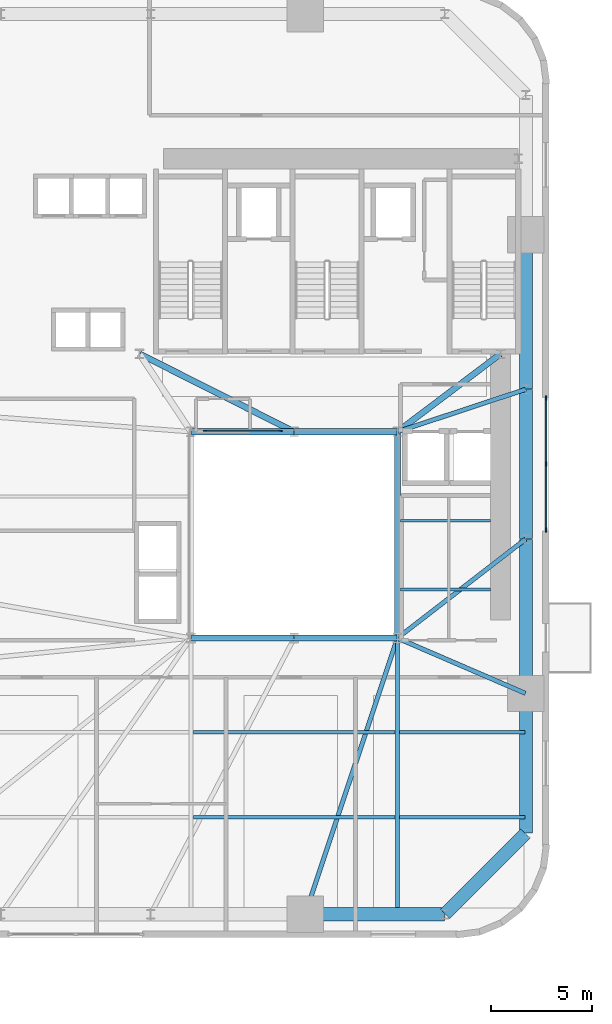
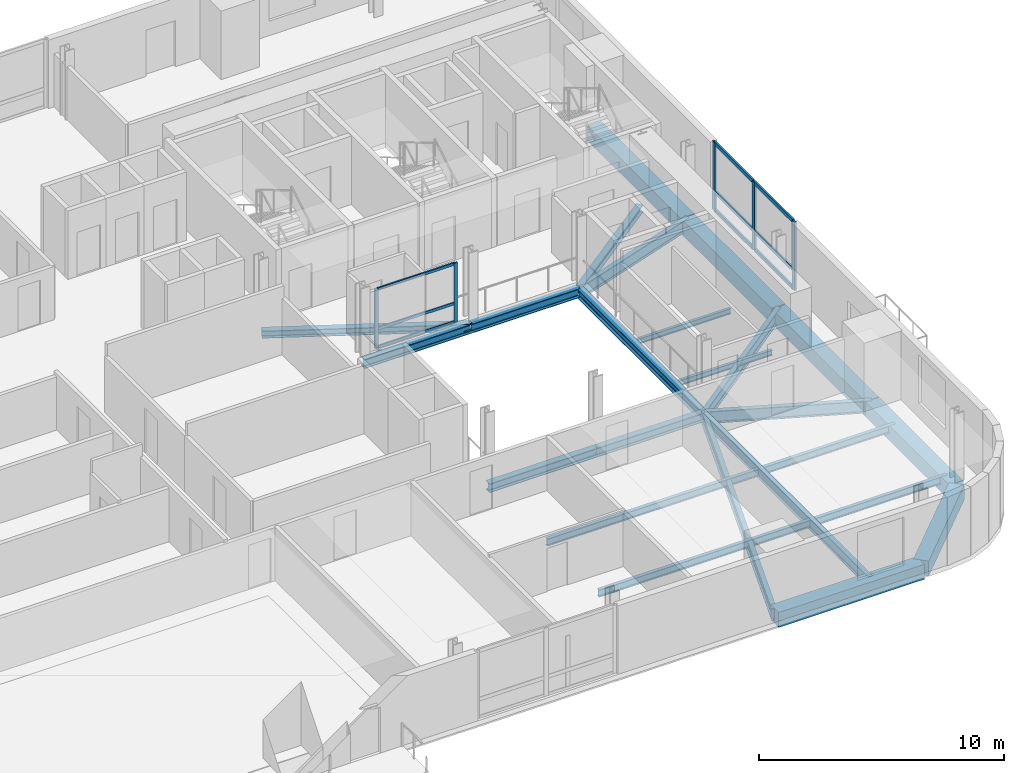
# One storey, part 3 of 13: 24 beams, 14 members, 2 elements without a shape of their own.
"""IFC4 building model written with IfcOpenShell, lengths in metres."""

from ifc_helpers import new_model, si_unit, direction, frame, origin, origin_2d, place, context, subcontext, project, spatial, rectangle, i_section, extrude, source, transform, mapped, material, material_profile, profile_set, type_object, element, aggregate, save


model = new_model("IFC4")

# Units and contexts
model_context = context("Model", 3, precision=1e-05, world=origin(), true_north=direction((0.0, 1.0)))
body_context = subcontext(model_context, "Body", "Model", "MODEL_VIEW")
ifc_project = project(units=[si_unit("LENGTHUNIT", "METRE"), si_unit("AREAUNIT", "SQUARE_METRE"), si_unit("VOLUMEUNIT", "CUBIC_METRE"), si_unit("PLANEANGLEUNIT", "RADIAN"), si_unit("MASSUNIT", "GRAM", prefix="KILO")], contexts=[model_context])

# Site, building, storey
site_placement = place(None, origin())
site = spatial("IfcSite", under=ifc_project, at=site_placement, CompositionType="ELEMENT")
building_placement = place(site_placement, origin())
building = spatial("IfcBuilding", under=site, at=building_placement, Name="Vardaveli Station Tower", CompositionType="ELEMENT")
storey_placement = place(building_placement, frame((0.0, 0.0, 31.25)))
storey = spatial("IfcBuildingStorey", under=building, at=storey_placement, Name="L07", CompositionType="ELEMENT", Elevation=31.25)

# Beams
ifc_material_1 = material(Name="Structural steel S355J2", Category="steel")
ifc_material_profile_1 = material_profile(ifc_material_1, i_section(OverallWidth=0.300048828125, OverallDepth=0.449951171875, WebThickness=0.013916015625, FlangeThickness=0.02587890625, FilletRadius=0.027099609375, at=origin_2d()), Name="HEB 450")
ifc_profile_set_1 = profile_set([ifc_material_profile_1], Name="Structural steel S355J2")
beam_type_1 = type_object("IfcBeamType", Name="BM-HEB450", PredefinedType="BEAM", material=ifc_profile_set_1)
shared_shape_1 = source(origin(), body_context, "Body", "SweptSolid", [
    extrude(i_section(OverallWidth=0.300048828125, OverallDepth=0.449951171875, WebThickness=0.013916015625, FlangeThickness=0.02587890625, FilletRadius=0.027099609375, at=origin_2d()), origin(), (0.0, 0.0, 1.0), 5.06005859375),
])
for number, where, z_axis, x_axis, name in (
    (1, (31.219970703125, 16.60009765625, -0.465087890625), (1.0, 0.0, 0.0), (0.0, 1.0, 0.0), "ABM-L07-01"),
    (2, (36.280029296875, 26.800048828125, -0.465087890625), (-1.0, 0.0, 0.0), (0.0, -1.0, 0.0), "ABM-L07-05"),
):
    element("IfcBeam", number, at=place(storey_placement, frame(where, z_axis=z_axis, x_axis=x_axis)), inside=storey, type_object=beam_type_1, Name=name, PredefinedType="BEAM", context=body_context, shape_type="MappedRepresentation", body=[
        mapped(shared_shape_1, transform((0.0, 0.0, 0.0), scale=1.0)),
    ])
shared_shape_2 = source(origin(), body_context, "Body", "SweptSolid", [
    extrude(i_section(OverallWidth=0.300048828125, OverallDepth=0.449951171875, WebThickness=0.013916015625, FlangeThickness=0.02587890625, FilletRadius=0.027099609375, at=origin_2d()), origin(), (0.0, 0.0, 1.0), 5.059814453125),
])
for number, where, z_axis, x_axis, name in (
    (3, (36.320068359375, 16.60009765625, -0.465087890625), (1.0, 0.0, 0.0), (0.0, 1.0, 0.0), "ABM-L07-02"),
    (4, (41.3798828125, 26.800048828125, -0.465087890625), (-1.0, 0.0, 0.0), (0.0, -1.0, 0.0), "ABM-L07-04"),
):
    element("IfcBeam", number, at=place(storey_placement, frame(where, z_axis=z_axis, x_axis=x_axis)), inside=storey, type_object=beam_type_1, Name=name, PredefinedType="BEAM", context=body_context, shape_type="MappedRepresentation", body=[
        mapped(shared_shape_2, transform((0.0, 0.0, 0.0), scale=1.0)),
    ])
shared_shape_3 = source(origin(), body_context, "Body", "SweptSolid", [
    extrude(i_section(OverallWidth=0.300048828125, OverallDepth=0.449951171875, WebThickness=0.013916015625, FlangeThickness=0.02587890625, FilletRadius=0.027099609375, at=origin_2d()), origin(), (0.0, 0.0, 1.0), 10.159912109375),
])
beam_1_placement = place(storey_placement, frame((41.39990234375, 16.6201171875, -0.465087890625), z_axis=(0.0, 1.0, 0.0), x_axis=(-1.0, 0.0, 0.0)))
element("IfcBeam", 5, at=beam_1_placement, inside=storey, type_object=beam_type_1, Name="ABM-L07-03", PredefinedType="BEAM", context=body_context, shape_type="MappedRepresentation", body=[
    mapped(shared_shape_3, transform((0.0, 0.0, 0.0), scale=1.0)),
])
ifc_material_profile_2 = material_profile(ifc_material_1, i_section(OverallWidth=0.300048828125, OverallDepth=0.360107421875, WebThickness=0.012451171875, FlangeThickness=0.0224609375, FilletRadius=0.027099609375, at=origin_2d()), Name="HEB 360")
ifc_profile_set_2 = profile_set([ifc_material_profile_2], Name="Structural steel S355J2")
beam_type_2 = type_object("IfcBeamType", Name="BM-HEB360", PredefinedType="BEAM", material=ifc_profile_set_2)
shared_shape_4 = source(origin(), body_context, "Body", "SweptSolid", [
    extrude(i_section(OverallWidth=0.300048828125, OverallDepth=0.360107421875, WebThickness=0.012451171875, FlangeThickness=0.0224609375, FilletRadius=0.027099609375, at=origin_2d()), origin(), (0.0, 0.0, 1.0), 6.35009765625),
])
beam_2_placement = place(storey_placement, frame((41.416015625, 26.81201171875, -0.419921875), z_axis=(0.798118337722, 0.602500721154, 0.0), x_axis=(-0.602500721154, 0.798118337722, 0.0)))
element("IfcBeam", 6, at=beam_2_placement, inside=storey, type_object=beam_type_2, Name="CBM-L07-02", PredefinedType="BEAM", context=body_context, shape_type="MappedRepresentation", body=[
    mapped(shared_shape_4, transform((0.0, 0.0, 0.0), scale=1.0)),
])
shared_shape_5 = source(origin(), body_context, "Body", "SweptSolid", [
    extrude(i_section(OverallWidth=0.300048828125, OverallDepth=0.360107421875, WebThickness=0.012451171875, FlangeThickness=0.0224609375, FilletRadius=0.027099609375, at=origin_2d()), origin(), (0.0, 0.0, 1.0), 8.524169921875),
])
beam_3_placement = place(storey_placement, frame((28.66796875, 30.64111328125, -0.419921875), z_axis=(0.893255584708, -0.449549174605, 0.0), x_axis=(0.449549174605, 0.893255584708, 0.0)))
element("IfcBeam", 7, at=beam_3_placement, inside=storey, type_object=beam_type_2, Name="CBM-L07-03", PredefinedType="BEAM", context=body_context, shape_type="MappedRepresentation", body=[
    mapped(shared_shape_5, transform((0.0, 0.0, 0.0), scale=1.0)),
])
ifc_material_2 = material(Name="Precast concrete C45/55", Category="concrete")
ifc_material_profile_3 = material_profile(ifc_material_2, rectangle(XDim=0.64990234375, YDim=0.75, at=origin_2d()), Name="LPB 650x750")
ifc_profile_set_3 = profile_set([ifc_material_profile_3], Name="Precast concrete C45/55")
beam_type_3 = type_object("IfcBeamType", Name="BM-LPB-750", PredefinedType="BEAM", material=ifc_profile_set_3)
shared_shape_6 = source(origin(), body_context, "Body", "SweptSolid", [
    extrude(rectangle(XDim=0.64990234375, YDim=0.75, at=origin_2d()), origin(), (0.0, 0.0, 1.0), 7.60009765625),
])
for number, where, z_axis, x_axis, name in (
    (8, (47.75, 13.8798828125, -0.614990234375), (0.0, 1.0, 0.0), (-1.0, 0.0, 0.0), "RBM-L07-07"),
    (9, (47.75, 28.919921875, -0.614990234375), (0.0, 1.0, 0.0), (-1.0, 0.0, 0.0), "RBM-L07-09"),
):
    element("IfcBeam", number, at=place(storey_placement, frame(where, z_axis=z_axis, x_axis=x_axis)), inside=storey, type_object=beam_type_3, Name=name, PredefinedType="BEAM", context=body_context, shape_type="MappedRepresentation", body=[
        mapped(shared_shape_6, transform((0.0, 0.0, 0.0), scale=1.0)),
    ])
shared_shape_7 = source(origin(), body_context, "Body", "SweptSolid", [
    extrude(rectangle(XDim=0.64990234375, YDim=0.75, at=origin_2d()), origin(), (0.0, 0.0, 1.0), 7.35986328125),
])
beam_4_placement = place(storey_placement, frame((47.75, 21.52001953125, -0.614990234375), z_axis=(0.0, 1.0, 0.0), x_axis=(-1.0, 0.0, 0.0)))
element("IfcBeam", 10, at=beam_4_placement, inside=storey, type_object=beam_type_3, Name="RBM-L07-08", PredefinedType="BEAM", context=body_context, shape_type="MappedRepresentation", body=[
    mapped(shared_shape_7, transform((0.0, 0.0, 0.0), scale=1.0)),
])
shared_shape_8 = source(origin(), body_context, "Body", "SweptSolid", [
    extrude(rectangle(XDim=0.64990234375, YDim=0.75, at=origin_2d()), origin(), (0.0, 0.0, 1.0), 6.869873046875),
])
beam_5_placement = place(storey_placement, frame((36.860107421875, 2.949951171875, -0.614990234375), z_axis=(1.0, 0.0, 0.0), x_axis=(0.0, 1.0, 0.0)))
element("IfcBeam", 11, at=beam_5_placement, inside=storey, type_object=beam_type_3, Name="RBM-L07-04", PredefinedType="BEAM", context=body_context, shape_type="MappedRepresentation", body=[
    mapped(shared_shape_8, transform((0.0, 0.0, 0.0), scale=1.0)),
])
shared_shape_9 = source(origin(), body_context, "Body", "SweptSolid", [
    extrude(rectangle(XDim=0.64990234375, YDim=0.75, at=origin_2d()), origin(), (0.0, 0.0, 1.0), 5.61669921875),
])
beam_6_placement = place(storey_placement, frame((43.76416015625, 2.964111328125, -0.614990234375), z_axis=(0.707106781187, 0.707106781187, 0.0), x_axis=(-0.707106781187, 0.707106781187, 0.0)))
element("IfcBeam", 12, at=beam_6_placement, inside=storey, type_object=beam_type_3, Name="RBM-L07-05", PredefinedType="BEAM", context=body_context, shape_type="MappedRepresentation", body=[
    mapped(shared_shape_9, transform((0.0, 0.0, 0.0), scale=1.0)),
])
shared_shape_10 = source(origin(), body_context, "Body", "SweptSolid", [
    extrude(rectangle(XDim=0.64990234375, YDim=0.75, at=origin_2d()), origin(), (0.0, 0.0, 1.0), 6.8701171875),
])
beam_7_placement = place(storey_placement, frame((47.75, 6.969970703125, -0.614990234375), z_axis=(0.0, 1.0, 0.0), x_axis=(-1.0, 0.0, 0.0)))
element("IfcBeam", 13, at=beam_7_placement, inside=storey, type_object=beam_type_3, Name="RBM-L07-06", PredefinedType="BEAM", context=body_context, shape_type="MappedRepresentation", body=[
    mapped(shared_shape_10, transform((0.0, 0.0, 0.0), scale=1.0)),
])
ifc_material_profile_4 = material_profile(ifc_material_1, i_section(OverallWidth=0.219970703125, OverallDepth=0.60009765625, WebThickness=0.011962890625, FlangeThickness=0.01904296875, FilletRadius=0.02392578125, at=origin_2d()), Name="IPE 600")
ifc_profile_set_4 = profile_set([ifc_material_profile_4], Name="Structural steel S355J2")
beam_type_4 = type_object("IfcBeamType", Name="BM-IPE600", PredefinedType="BEAM", material=ifc_profile_set_4)
shared_shape_11 = source(origin(), body_context, "Body", "SweptSolid", [
    extrude(i_section(OverallWidth=0.219970703125, OverallDepth=0.60009765625, WebThickness=0.011962890625, FlangeThickness=0.01904296875, FilletRadius=0.02392578125, at=origin_2d()), origin(), (0.0, 0.0, 1.0), 14.3515625),
])
beam_8_placement = place(storey_placement, frame((36.846435546875, 2.968994140625, -0.5400390625), z_axis=(0.316840115921, 0.948478961782, 0.0), x_axis=(-0.948478961782, 0.316840115921, 0.0)))
element("IfcBeam", 14, at=beam_8_placement, inside=storey, type_object=beam_type_4, Name="GBM-L07-04", PredefinedType="BEAM", context=body_context, shape_type="MappedRepresentation", body=[
    mapped(shared_shape_11, transform((0.0, 0.0, 0.0), scale=1.0)),
])
shared_shape_12 = source(origin(), body_context, "Body", "SweptSolid", [
    extrude(i_section(OverallWidth=0.219970703125, OverallDepth=0.60009765625, WebThickness=0.011962890625, FlangeThickness=0.01904296875, FilletRadius=0.02392578125, at=origin_2d()), origin(), (0.0, 0.0, 1.0), 6.8759765625),
])
beam_9_placement = place(storey_placement, frame((47.731689453125, 13.867919921875, -0.5400390625), z_axis=(-0.918170694621, 0.396185026899, 0.0), x_axis=(-0.396185026899, -0.918170694621, 0.0)))
element("IfcBeam", 15, at=beam_9_placement, inside=storey, type_object=beam_type_4, Name="GBM-L07-05", PredefinedType="BEAM", context=body_context, shape_type="MappedRepresentation", body=[
    mapped(shared_shape_12, transform((0.0, 0.0, 0.0), scale=1.0)),
])
shared_shape_13 = source(origin(), body_context, "Body", "SweptSolid", [
    extrude(i_section(OverallWidth=0.219970703125, OverallDepth=0.60009765625, WebThickness=0.011962890625, FlangeThickness=0.01904296875, FilletRadius=0.02392578125, at=origin_2d()), origin(), (0.0, 0.0, 1.0), 7.980712890625),
])
beam_10_placement = place(storey_placement, frame((47.734130859375, 21.48779296875, -0.5400390625), z_axis=(-0.791701934907, -0.610907559509, 0.0), x_axis=(0.610907559509, -0.791701934907, 0.0)))
element("IfcBeam", 16, at=beam_10_placement, inside=storey, type_object=beam_type_4, Name="GBM-L07-06", PredefinedType="BEAM", context=body_context, shape_type="MappedRepresentation", body=[
    mapped(shared_shape_13, transform((0.0, 0.0, 0.0), scale=1.0)),
])
shared_shape_14 = source(origin(), body_context, "Body", "SweptSolid", [
    extrude(i_section(OverallWidth=0.219970703125, OverallDepth=0.60009765625, WebThickness=0.011962890625, FlangeThickness=0.01904296875, FilletRadius=0.02392578125, at=origin_2d()), origin(), (0.0, 0.0, 1.0), 6.648193359375),
])
beam_11_placement = place(storey_placement, frame((47.73095703125, 28.893798828125, -0.5400390625), z_axis=(-0.949429779906, -0.313979446824, 0.0), x_axis=(0.313979446824, -0.949429779906, 0.0)))
element("IfcBeam", 17, at=beam_11_placement, inside=storey, type_object=beam_type_4, Name="GBM-L07-07", PredefinedType="BEAM", context=body_context, shape_type="MappedRepresentation", body=[
    mapped(shared_shape_14, transform((0.0, 0.0, 0.0), scale=1.0)),
])
ifc_material_profile_5 = material_profile(ifc_material_1, i_section(OverallWidth=0.2099609375, OverallDepth=0.550048828125, WebThickness=0.010986328125, FlangeThickness=0.01708984375, FilletRadius=0.02392578125, at=origin_2d()), Name="IPE 550")
ifc_profile_set_5 = profile_set([ifc_material_profile_5], Name="Structural steel S355J2")
beam_type_5 = type_object("IfcBeamType", Name="BM-IPE550", PredefinedType="BEAM", material=ifc_profile_set_5)
shared_shape_15 = source(origin(), body_context, "Body", "SweptSolid", [
    extrude(i_section(OverallWidth=0.2099609375, OverallDepth=0.550048828125, WebThickness=0.010986328125, FlangeThickness=0.01708984375, FilletRadius=0.02392578125, at=origin_2d()), origin(), (0.0, 0.0, 1.0), 13.469970703125),
])
beam_12_placement = place(storey_placement, frame((41.39990234375, 2.989990234375, -0.514892578125), z_axis=(0.0, 1.0, 0.0), x_axis=(-1.0, 0.0, 0.0)))
element("IfcBeam", 18, at=beam_12_placement, inside=storey, type_object=beam_type_5, Name="NSM-L07-S2", PredefinedType="BEAM", context=body_context, shape_type="MappedRepresentation", body=[
    mapped(shared_shape_15, transform((0.0, 0.0, 0.0), scale=1.0)),
])
ifc_material_profile_6 = material_profile(ifc_material_1, i_section(OverallWidth=0.169921875, OverallDepth=0.360107421875, WebThickness=0.008056640625, FlangeThickness=0.0126953125, FilletRadius=0.01806640625, at=origin_2d()), Name="IPE 360")
ifc_profile_set_6 = profile_set([ifc_material_profile_6], Name="Structural steel S355J2")
beam_type_6 = type_object("IfcBeamType", Name="BM-IPE360", PredefinedType="JOIST", material=ifc_profile_set_6)
shared_shape_16 = source(origin(), body_context, "Body", "SweptSolid", [
    extrude(i_section(OverallWidth=0.169921875, OverallDepth=0.360107421875, WebThickness=0.008056640625, FlangeThickness=0.0126953125, FilletRadius=0.01806640625, at=origin_2d()), origin(), (0.0, 0.0, 1.0), 9.97607421875),
])
for number, where, z_axis, x_axis, name in (
    (19, (31.31201171875, 7.75, -0.419921875), (1.0, 0.0, 0.0), (0.0, 1.0, 0.0), "SJ-L07-S02"),
    (20, (31.31201171875, 11.949951171875, -0.419921875), (1.0, 0.0, 0.0), (0.0, 1.0, 0.0), "SJ-L07-S05"),
):
    element("IfcBeam", number, at=place(storey_placement, frame(where, z_axis=z_axis, x_axis=x_axis)), inside=storey, type_object=beam_type_6, Name=name, PredefinedType="JOIST", context=body_context, shape_type="MappedRepresentation", body=[
        mapped(shared_shape_16, transform((0.0, 0.0, 0.0), scale=1.0)),
    ])
shared_shape_17 = source(origin(), body_context, "Body", "SweptSolid", [
    extrude(i_section(OverallWidth=0.169921875, OverallDepth=0.360107421875, WebThickness=0.008056640625, FlangeThickness=0.0126953125, FilletRadius=0.01806640625, at=origin_2d()), origin(), (0.0, 0.0, 1.0), 6.197998046875),
])
for number, where, z_axis, x_axis, name in (
    (21, (41.511962890625, 7.75, -0.419921875), (1.0, 0.0, 0.0), (0.0, 1.0, 0.0), "SJ-L07-S03"),
    (22, (41.511962890625, 11.949951171875, -0.419921875), (1.0, 0.0, 0.0), (0.0, 1.0, 0.0), "SJ-L07-S06"),
):
    element("IfcBeam", number, at=place(storey_placement, frame(where, z_axis=z_axis, x_axis=x_axis)), inside=storey, type_object=beam_type_6, Name=name, PredefinedType="JOIST", context=body_context, shape_type="MappedRepresentation", body=[
        mapped(shared_shape_17, transform((0.0, 0.0, 0.0), scale=1.0)),
    ])
ifc_material_profile_7 = material_profile(ifc_material_1, i_section(OverallWidth=0.135009765625, OverallDepth=0.27001953125, WebThickness=0.006591796875, FlangeThickness=0.01025390625, FilletRadius=0.014892578125, at=origin_2d()), Name="IPE 270")
ifc_profile_set_7 = profile_set([ifc_material_profile_7], Name="Structural steel S355J2")
beam_type_7 = type_object("IfcBeamType", Name="BM-IPE270", PredefinedType="BEAM", material=ifc_profile_set_7)
shared_shape_18 = source(origin(), body_context, "Body", "SweptSolid", [
    extrude(i_section(OverallWidth=0.135009765625, OverallDepth=0.27001953125, WebThickness=0.006591796875, FlangeThickness=0.01025390625, FilletRadius=0.014892578125, at=origin_2d()), origin(), (0.0, 0.0, 1.0), 4.43017578125),
])
for number, where, z_axis, x_axis, name in (
    (23, (41.56494140625, 19.0, -0.375), (1.0, 0.0, 0.0), (0.0, 1.0, 0.0), "TJ-L07-01"),
    (24, (41.56494140625, 22.39990234375, -0.375), (1.0, 0.0, 0.0), (0.0, 1.0, 0.0), "TJ-L07-02"),
):
    element("IfcBeam", number, at=place(storey_placement, frame(where, z_axis=z_axis, x_axis=x_axis)), inside=storey, type_object=beam_type_7, Name=name, PredefinedType="BEAM", context=body_context, shape_type="MappedRepresentation", body=[
        mapped(shared_shape_18, transform((0.0, 0.0, 0.0), scale=1.0)),
    ])

# Curtain wall, members
ifc_material_3 = material(Name="Travertine stone and solar-control glass", Category="masonry")
curtain_wall_type_1 = type_object("IfcCurtainWallType", Name="CW-SYS-2", PredefinedType="NOTDEFINED", material=ifc_material_3)
curtain_wall_1_placement = place(storey_placement, origin())
curtain_wall_1 = element("IfcCurtainWall", 25, at=curtain_wall_1_placement, inside=storey, type_object=curtain_wall_type_1, Name="CW-L07-E", PredefinedType="NOTDEFINED")
ifc_material_4 = material(Name="Anodised aluminium alloy 6063-T6", Category="aluminium")
ifc_material_profile_8 = material_profile(ifc_material_4, rectangle(XDim=0.0849609375, YDim=0.219970703125, at=origin_2d()), Name="CWM 85x220")
ifc_profile_set_8 = profile_set([ifc_material_profile_8], Name="Anodised aluminium alloy 6063-T6")
member_type_1 = type_object("IfcMemberType", Name="CW-SYS-2-MULL", PredefinedType="MULLION", material=ifc_profile_set_8)
shared_shape_19 = source(origin(), body_context, "Body", "SweptSolid", [
    extrude(rectangle(XDim=0.0849609375, YDim=0.219970703125, at=origin_2d()), origin(), (0.0, 0.0, 1.0), 3.409912109375),
])
member_1_placement = place(storey_placement, frame((48.739990234375, 21.9423828125, 0.0), z_axis=(0.0, 0.0, 1.0), x_axis=(-1.0, 0.0, 0.0)))
member_1 = element("IfcMember", 26, at=member_1_placement, type_object=member_type_1, Name="CW-2 mullion 1", PredefinedType="MULLION", context=body_context, shape_type="MappedRepresentation", body=[
    mapped(shared_shape_19, transform((0.0, 0.0, 0.0), scale=1.0)),
])
member_2_placement = place(storey_placement, frame((48.739990234375, 25.199951171875, 0.0), z_axis=(0.0, 0.0, 1.0), x_axis=(-1.0, 0.0, 0.0)))
member_2 = element("IfcMember", 27, at=member_2_placement, type_object=member_type_1, Name="CW-2 mullion 2", PredefinedType="MULLION", context=body_context, shape_type="MappedRepresentation", body=[
    mapped(shared_shape_19, transform((0.0, 0.0, 0.0), scale=1.0)),
])
member_3_placement = place(storey_placement, frame((48.739990234375, 28.45751953125, 0.0), z_axis=(0.0, 0.0, 1.0), x_axis=(-1.0, 0.0, 0.0)))
member_3 = element("IfcMember", 28, at=member_3_placement, type_object=member_type_1, Name="CW-2 mullion 3", PredefinedType="MULLION", context=body_context, shape_type="MappedRepresentation", body=[
    mapped(shared_shape_19, transform((0.0, 0.0, 0.0), scale=1.0)),
])
ifc_material_profile_9 = material_profile(ifc_material_4, rectangle(XDim=0.0849609375, YDim=0.179931640625, at=origin_2d()), Name="CWT 85x180")
ifc_profile_set_9 = profile_set([ifc_material_profile_9], Name="Anodised aluminium alloy 6063-T6")
member_type_2 = type_object("IfcMemberType", Name="CW-SYS-2-TRAN", PredefinedType="NOTDEFINED", material=ifc_profile_set_9)
shared_shape_20 = source(origin(), body_context, "Body", "SweptSolid", [
    extrude(rectangle(XDim=0.0849609375, YDim=0.179931640625, at=origin_2d()), origin(), (0.0, 0.0, 1.0), 3.172607421875),
])
member_4_placement = place(storey_placement, frame((48.739990234375, 25.242431640625, 0.04248046875), z_axis=(0.0, 1.0, 0.0), x_axis=(-1.0, 0.0, 0.0)))
member_4 = element("IfcMember", 29, at=member_4_placement, type_object=member_type_2, Name="CW-2 transom 2.1", ObjectType="TRANSOM", PredefinedType="USERDEFINED", context=body_context, shape_type="MappedRepresentation", body=[
    mapped(shared_shape_20, transform((0.0, 0.0, 0.0), scale=1.0)),
])
member_5_placement = place(storey_placement, frame((48.739990234375, 25.242431640625, 0.949951171875), z_axis=(0.0, 1.0, 0.0), x_axis=(-1.0, 0.0, 0.0)))
member_5 = element("IfcMember", 30, at=member_5_placement, type_object=member_type_2, Name="CW-2 transom 2.2", ObjectType="TRANSOM", PredefinedType="USERDEFINED", context=body_context, shape_type="MappedRepresentation", body=[
    mapped(shared_shape_20, transform((0.0, 0.0, 0.0), scale=1.0)),
])
member_6_placement = place(storey_placement, frame((48.739990234375, 25.242431640625, 3.367431640625), z_axis=(0.0, 1.0, 0.0), x_axis=(-1.0, 0.0, 0.0)))
member_6 = element("IfcMember", 31, at=member_6_placement, type_object=member_type_2, Name="CW-2 transom 2.3", ObjectType="TRANSOM", PredefinedType="USERDEFINED", context=body_context, shape_type="MappedRepresentation", body=[
    mapped(shared_shape_20, transform((0.0, 0.0, 0.0), scale=1.0)),
])
shared_shape_21 = source(origin(), body_context, "Body", "SweptSolid", [
    extrude(rectangle(XDim=0.0849609375, YDim=0.179931640625, at=origin_2d()), origin(), (0.0, 0.0, 1.0), 3.17236328125),
])
member_7_placement = place(storey_placement, frame((48.739990234375, 21.985107421875, 0.04248046875), z_axis=(0.0, 1.0, 0.0), x_axis=(-1.0, 0.0, 0.0)))
member_7 = element("IfcMember", 32, at=member_7_placement, type_object=member_type_2, Name="CW-2 transom 1.1", ObjectType="TRANSOM", PredefinedType="USERDEFINED", context=body_context, shape_type="MappedRepresentation", body=[
    mapped(shared_shape_21, transform((0.0, 0.0, 0.0), scale=1.0)),
])
member_8_placement = place(storey_placement, frame((48.739990234375, 21.985107421875, 0.949951171875), z_axis=(0.0, 1.0, 0.0), x_axis=(-1.0, 0.0, 0.0)))
member_8 = element("IfcMember", 33, at=member_8_placement, type_object=member_type_2, Name="CW-2 transom 1.2", ObjectType="TRANSOM", PredefinedType="USERDEFINED", context=body_context, shape_type="MappedRepresentation", body=[
    mapped(shared_shape_21, transform((0.0, 0.0, 0.0), scale=1.0)),
])
member_9_placement = place(storey_placement, frame((48.739990234375, 21.985107421875, 3.367431640625), z_axis=(0.0, 1.0, 0.0), x_axis=(-1.0, 0.0, 0.0)))
member_9 = element("IfcMember", 34, at=member_9_placement, type_object=member_type_2, Name="CW-2 transom 1.3", ObjectType="TRANSOM", PredefinedType="USERDEFINED", context=body_context, shape_type="MappedRepresentation", body=[
    mapped(shared_shape_21, transform((0.0, 0.0, 0.0), scale=1.0)),
])
aggregate(curtain_wall_1, [member_1, member_2, member_3, member_7, member_8, member_9, member_4, member_5, member_6])

curtain_wall_type_2 = type_object("IfcCurtainWallType", Name="CW-SYS-4", PredefinedType="NOTDEFINED", material=ifc_material_3)
curtain_wall_2_placement = place(storey_placement, origin())
curtain_wall_2 = element("IfcCurtainWall", 35, at=curtain_wall_2_placement, inside=storey, type_object=curtain_wall_type_2, Name="CW-L07-ATN", PredefinedType="NOTDEFINED")
ifc_material_profile_10 = material_profile(ifc_material_4, rectangle(XDim=0.070068359375, YDim=0.1650390625, at=origin_2d()), Name="CWM 70x165")
ifc_profile_set_10 = profile_set([ifc_material_profile_10], Name="Anodised aluminium alloy 6063-T6")
member_type_3 = type_object("IfcMemberType", Name="CW-SYS-4-MULL", PredefinedType="MULLION", material=ifc_profile_set_10)
shared_shape_22 = source(origin(), body_context, "Body", "SweptSolid", [
    extrude(rectangle(XDim=0.070068359375, YDim=0.1650390625, at=origin_2d()), origin(), (0.0, 0.0, 1.0), 2.949951171875),
])
member_10_placement = place(storey_placement, frame((31.885009765625, 26.85009765625, 0.0), z_axis=(0.0, 0.0, 1.0), x_axis=(0.0, 1.0, 0.0)))
member_10 = element("IfcMember", 36, at=member_10_placement, type_object=member_type_3, Name="CW-4 mullion 1", PredefinedType="MULLION", context=body_context, shape_type="MappedRepresentation", body=[
    mapped(shared_shape_22, transform((0.0, 0.0, 0.0), scale=1.0)),
])
member_11_placement = place(storey_placement, frame((35.614990234375, 26.85009765625, 0.0), z_axis=(0.0, 0.0, 1.0), x_axis=(0.0, 1.0, 0.0)))
member_11 = element("IfcMember", 37, at=member_11_placement, type_object=member_type_3, Name="CW-4 mullion 2", PredefinedType="MULLION", context=body_context, shape_type="MappedRepresentation", body=[
    mapped(shared_shape_22, transform((0.0, 0.0, 0.0), scale=1.0)),
])
ifc_material_profile_11 = material_profile(ifc_material_4, rectangle(XDim=0.070068359375, YDim=0.135009765625, at=origin_2d()), Name="CWT 70x135")
ifc_profile_set_11 = profile_set([ifc_material_profile_11], Name="Anodised aluminium alloy 6063-T6")
member_type_4 = type_object("IfcMemberType", Name="CW-SYS-4-TRAN", PredefinedType="NOTDEFINED", material=ifc_profile_set_11)
shared_shape_23 = source(origin(), body_context, "Body", "SweptSolid", [
    extrude(rectangle(XDim=0.070068359375, YDim=0.135009765625, at=origin_2d()), origin(), (0.0, 0.0, 1.0), 3.66015625),
])
member_12_placement = place(storey_placement, frame((31.919921875, 26.85009765625, 0.034912109375), z_axis=(1.0, 0.0, 0.0), x_axis=(0.0, 1.0, 0.0)))
member_12 = element("IfcMember", 38, at=member_12_placement, type_object=member_type_4, Name="CW-4 transom 1.1", ObjectType="TRANSOM", PredefinedType="USERDEFINED", context=body_context, shape_type="MappedRepresentation", body=[
    mapped(shared_shape_23, transform((0.0, 0.0, 0.0), scale=1.0)),
])
member_13_placement = place(storey_placement, frame((31.919921875, 26.85009765625, 0.949951171875), z_axis=(1.0, 0.0, 0.0), x_axis=(0.0, 1.0, 0.0)))
member_13 = element("IfcMember", 39, at=member_13_placement, type_object=member_type_4, Name="CW-4 transom 1.2", ObjectType="TRANSOM", PredefinedType="USERDEFINED", context=body_context, shape_type="MappedRepresentation", body=[
    mapped(shared_shape_23, transform((0.0, 0.0, 0.0), scale=1.0)),
])
member_14_placement = place(storey_placement, frame((31.919921875, 26.85009765625, 2.9150390625), z_axis=(1.0, 0.0, 0.0), x_axis=(0.0, 1.0, 0.0)))
member_14 = element("IfcMember", 40, at=member_14_placement, type_object=member_type_4, Name="CW-4 transom 1.3", ObjectType="TRANSOM", PredefinedType="USERDEFINED", context=body_context, shape_type="MappedRepresentation", body=[
    mapped(shared_shape_23, transform((0.0, 0.0, 0.0), scale=1.0)),
])
aggregate(curtain_wall_2, [member_10, member_11, member_12, member_13, member_14])

save(model, "model.ifc")
